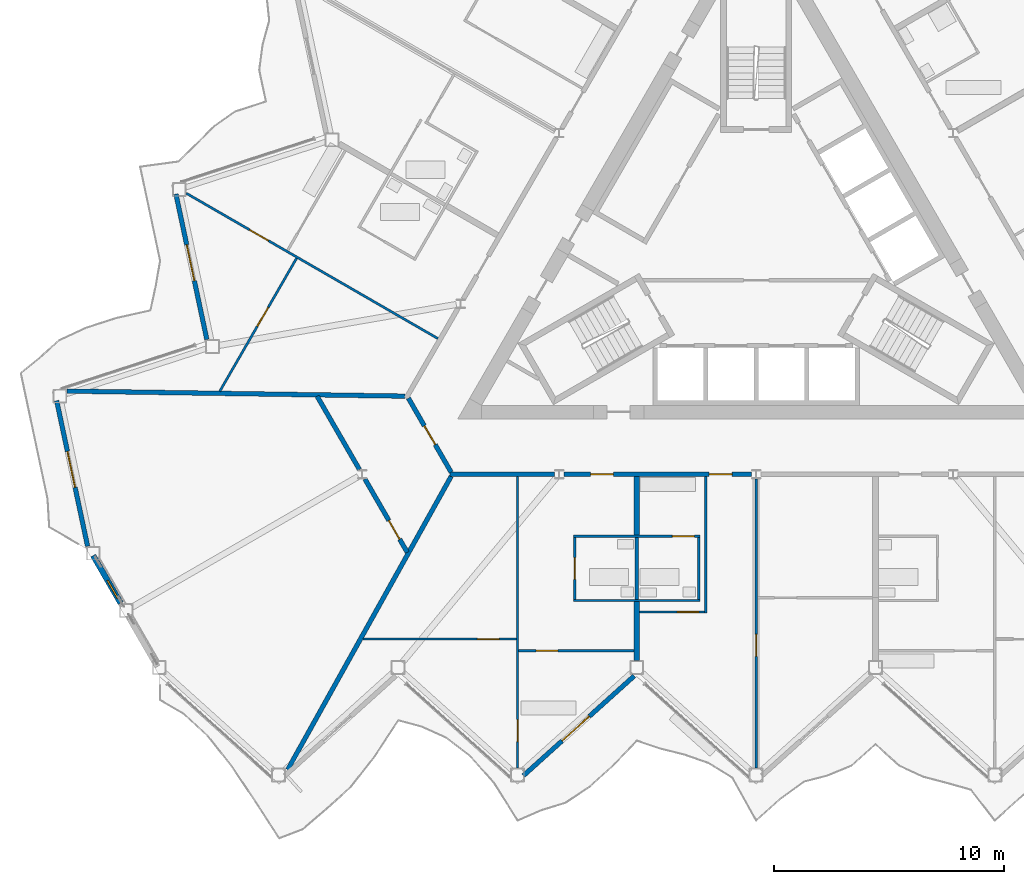
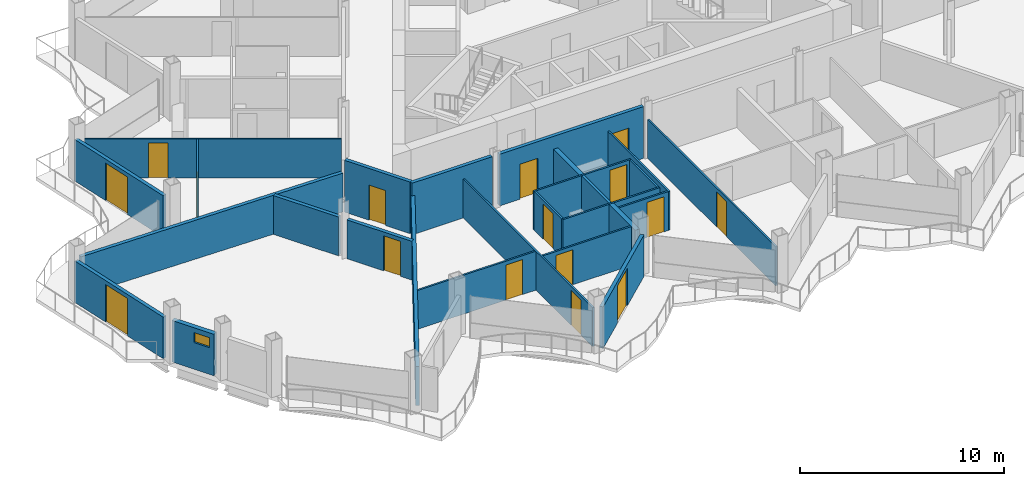
# One storey, part 13 of 26: 26 walls, 16 doors, 1 window, 17 openings.
"""IFC4 building model written with IfcOpenShell, lengths in metres."""

from ifc_helpers import new_model, si_unit, direction, frame, frame_2d, origin, place, context, subcontext, project, spatial, rectangle, extrude, material, layer, layer_set, type_object, element, fill, save


model = new_model("IFC4")

# Units and contexts
model_context = context("Model", 3, precision=1e-05, world=origin(), true_north=direction((0.0, 1.0)))
body_context = subcontext(model_context, "Body", "Model", "MODEL_VIEW")
ifc_project = project(units=[si_unit("LENGTHUNIT", "METRE"), si_unit("AREAUNIT", "SQUARE_METRE"), si_unit("VOLUMEUNIT", "CUBIC_METRE"), si_unit("PLANEANGLEUNIT", "RADIAN"), si_unit("MASSUNIT", "GRAM", prefix="KILO")], contexts=[model_context])

# Site, building, storey
site_placement = place(None, origin())
site = spatial("IfcSite", under=ifc_project, at=site_placement, CompositionType="ELEMENT")
building_placement = place(site_placement, origin())
building = spatial("IfcBuilding", under=site, at=building_placement, Name="Cormorant Prow Tower", CompositionType="ELEMENT")
storey_placement = place(building_placement, frame((0.0, 0.0, 325.60009765625)))
storey = spatial("IfcBuildingStorey", under=building, at=storey_placement, Name="L72", CompositionType="ELEMENT", Elevation=325.60009765625)

# Wall, openings, doors
ifc_material_1 = material(Name="Gypsum board corridor wall")
ifc_layer_1 = layer(ifc_material_1, 0.199951171875)
ifc_layer_set_1 = layer_set([ifc_layer_1], Name="Gypsum board corridor wall")
wall_type_1 = type_object("IfcWallType", Name="Corridor wall 200", PredefinedType="PARTITIONING", material=ifc_layer_set_1)
wall_1_placement = place(storey_placement, frame((-8.370849609375, -9.905517578125, 0.0), z_axis=(0.0, 0.0, 1.0), x_axis=(1.0, 0.0, 0.0)))
wall_1 = element("IfcWall", 1, at=wall_1_placement, inside=storey, type_object=wall_type_1, Name="Corridor wall", PredefinedType="PARTITIONING", context=body_context, shape_type="SweptSolid", body=[
    extrude(rectangle(XDim=8.1630859375, YDim=0.199951171875, at=frame_2d((4.08154296875, 0.0))), origin(), (0.0, 0.0, 1.0), 3.099853515625),
])
opening_1_placement = place(wall_1_placement, frame((1.15869140625, 0.0, 0.0)))
opening_1 = element("IfcOpeningElement", 2, at=opening_1_placement, cuts=wall_1, Name="Opening L72-F01", PredefinedType="OPENING", context=body_context, shape_type="SweptSolid", body=[
    extrude(rectangle(XDim=1.0, YDim=2.10009765625, at=frame_2d((0.5, 1.050048828125))), frame((0.0, 0.10986328125, 0.0), z_axis=(0.0, -1.0, 0.0), x_axis=(1.0, 0.0, 0.0)), (0.0, 0.0, 1.0), 0.219970703125),
])
opening_2_placement = place(wall_1_placement, frame((6.32666015625, 0.0, 0.0)))
opening_2 = element("IfcOpeningElement", 3, at=opening_2_placement, cuts=wall_1, Name="Opening L72-F06", PredefinedType="OPENING", context=body_context, shape_type="SweptSolid", body=[
    extrude(rectangle(XDim=1.0, YDim=2.10009765625, at=frame_2d((0.5, 1.050048828125))), frame((0.0, 0.10986328125, 0.0), z_axis=(0.0, -1.0, 0.0), x_axis=(1.0, 0.0, 0.0)), (0.0, 0.0, 1.0), 0.219970703125),
])
ifc_material_2 = material(Name="Timber door leaf", Category="wood")
door_type_1 = type_object("IfcDoorType", Name="Flat or room entrance door 1000x2100", OperationType="NOTDEFINED", PredefinedType="DOOR", material=ifc_material_2)
door_1_placement = place(opening_1_placement, origin())
door_1 = element("IfcDoor", 4, at=door_1_placement, inside=storey, type_object=door_type_1, Name="Living room door", OperationType="SINGLE_SWING_RIGHT", OverallHeight=2.10009765625, OverallWidth=1.0, PredefinedType="DOOR", context=body_context, shape_type="SweptSolid", body=[
    extrude(rectangle(XDim=1.0, YDim=2.10009765625, at=frame_2d((0.5, 1.050048828125))), frame((0.0, 0.02490234375, 0.0), z_axis=(0.0, -1.0, 0.0), x_axis=(1.0, 0.0, 0.0)), (0.0, 0.0, 1.0), 0.050048828125),
])
fill(opening_1, door_1)
door_2_placement = place(opening_2_placement, origin())
door_2 = element("IfcDoor", 5, at=door_2_placement, inside=storey, type_object=door_type_1, Name="Living room door", OperationType="SINGLE_SWING_LEFT", OverallHeight=2.10009765625, OverallWidth=1.0, PredefinedType="DOOR", context=body_context, shape_type="SweptSolid", body=[
    extrude(rectangle(XDim=1.0, YDim=2.10009765625, at=frame_2d((0.5, 1.050048828125))), frame((0.0, 0.02490234375, 0.0), z_axis=(0.0, -1.0, 0.0), x_axis=(1.0, 0.0, 0.0)), (0.0, 0.0, 1.0), 0.050048828125),
])
fill(opening_2, door_2)

# Wall
wall_2_placement = place(storey_placement, frame((-13.330810546875, -9.905517578125, 0.0), z_axis=(0.0, 0.0, 1.0), x_axis=(1.0, 0.0, 0.0)))
element("IfcWall", 6, at=wall_2_placement, inside=storey, type_object=wall_type_1, Name="Corridor wall", PredefinedType="PARTITIONING", context=body_context, shape_type="SweptSolid", body=[
    extrude(rectangle(XDim=4.544677734375, YDim=0.199951171875, at=frame_2d((2.2724609375, 0.0))), origin(), (0.0, 0.0, 1.0), 3.099853515625),
])

# Wall, opening, door
wall_3_placement = place(storey_placement, frame((-15.143798828125, -6.59228515625, 0.0), z_axis=(0.0, 0.0, 1.0), x_axis=(0.499958791762, -0.866049194065, 0.0)))
wall_3 = element("IfcWall", 7, at=wall_3_placement, inside=storey, type_object=wall_type_1, Name="Corridor wall", PredefinedType="PARTITIONING", context=body_context, shape_type="SweptSolid", body=[
    extrude(rectangle(XDim=3.725830078125, YDim=0.199951171875, at=frame_2d((1.86279296875, 0.0))), origin(), (0.0, 0.0, 1.0), 3.099853515625),
])
opening_3_placement = place(wall_3_placement, frame((1.387939453125, 0.0, 0.0)))
opening_3 = element("IfcOpeningElement", 8, at=opening_3_placement, cuts=wall_3, Name="Opening L72-F54", PredefinedType="OPENING", context=body_context, shape_type="SweptSolid", body=[
    extrude(rectangle(XDim=0.949951171875, YDim=2.10009765625, at=frame_2d((0.47509765625, 1.050048828125))), frame((0.0, 0.10986328125, 0.0), z_axis=(0.0, -1.0, 0.0), x_axis=(1.0, 0.0, 0.0)), (0.0, 0.0, 1.0), 0.219970703125),
])
ifc_material_3 = material(Name="Timber door leaf", Category="wood")
door_type_2 = type_object("IfcDoorType", Name="Store door 950x2100", OperationType="NOTDEFINED", PredefinedType="DOOR", material=ifc_material_3)
door_3_placement = place(opening_3_placement, origin())
door_3 = element("IfcDoor", 9, at=door_3_placement, inside=storey, type_object=door_type_2, Name="Bicycle store door", OperationType="SINGLE_SWING_RIGHT", OverallHeight=2.10009765625, OverallWidth=0.949951171875, PredefinedType="DOOR", context=body_context, shape_type="SweptSolid", body=[
    extrude(rectangle(XDim=0.949951171875, YDim=2.10009765625, at=frame_2d((0.47509765625, 1.050048828125))), frame((0.0, 0.02490234375, 0.0), z_axis=(0.0, -1.0, 0.0), x_axis=(1.0, 0.0, 0.0)), (0.0, 0.0, 1.0), 0.050048828125),
])
fill(opening_3, door_3)

# Walls
ifc_material_4 = material(Name="Gypsum board demising wall")
ifc_layer_2 = layer(ifc_material_4, 0.199951171875)
ifc_layer_set_2 = layer_set([ifc_layer_2], Name="Gypsum board demising wall")
wall_type_2 = type_object("IfcWallType", Name="Demising wall 200", PredefinedType="PARTITIONING", material=ifc_layer_set_2)
wall_4_placement = place(storey_placement, frame((-20.403564453125, -22.772216796875, 0.0), z_axis=(0.0, 0.0, 1.0), x_axis=(0.486917529285, 0.873447949036, 0.0)))
element("IfcWall", 10, at=wall_4_placement, inside=storey, type_object=wall_type_2, Name="Demising wall", PredefinedType="PARTITIONING", context=body_context, shape_type="SweptSolid", body=[
    extrude(rectangle(XDim=14.630859375, YDim=0.199951171875, at=frame_2d((7.3154296875, 0.0))), origin(), (0.0, 0.0, 1.0), 2.330078125),
])
wall_5_placement = place(storey_placement, frame((-30.013671875, -6.282470703125, 0.0), z_axis=(0.0, 0.0, 1.0), x_axis=(0.99988686643, -0.015041753265, 0.0)))
element("IfcWall", 11, at=wall_5_placement, inside=storey, type_object=wall_type_2, Name="Demising wall", PredefinedType="PARTITIONING", context=body_context, shape_type="SweptSolid", body=[
    extrude(rectangle(XDim=14.721435546875, YDim=0.199951171875, at=frame_2d((7.36083984375, 0.0))), origin(), (0.0, 0.0, 1.0), 2.330078125),
])

# Wall, opening, door
wall_6_placement = place(storey_placement, frame((-17.037109375, -10.11328125, 0.0), z_axis=(0.0, 0.0, 1.0), x_axis=(0.50002820729, -0.866009117685, 0.0)))
wall_6 = element("IfcWall", 12, at=wall_6_placement, inside=storey, type_object=wall_type_2, Name="Demising wall", PredefinedType="PARTITIONING", context=body_context, shape_type="SweptSolid", body=[
    extrude(rectangle(XDim=3.686279296875, YDim=0.199951171875, at=frame_2d((1.84326171875, 0.0))), origin(), (0.0, 0.0, 1.0), 2.330078125),
])
opening_4_placement = place(wall_6_placement, frame((2.07958984375, 0.0, 0.0)))
opening_4 = element("IfcOpeningElement", 13, at=opening_4_placement, cuts=wall_6, Name="Opening L72-F55", PredefinedType="OPENING", context=body_context, shape_type="SweptSolid", body=[
    extrude(rectangle(XDim=0.949951171875, YDim=2.10009765625, at=frame_2d((0.47509765625, 1.050048828125))), frame((0.0, 0.10986328125, 0.0), z_axis=(0.0, -1.0, 0.0), x_axis=(1.0, 0.0, 0.0)), (0.0, 0.0, 1.0), 0.219970703125),
])
door_4_placement = place(opening_4_placement, origin())
door_4 = element("IfcDoor", 14, at=door_4_placement, inside=storey, type_object=door_type_2, Name="Refuse room door", OperationType="SINGLE_SWING_RIGHT", OverallHeight=2.10009765625, OverallWidth=0.949951171875, PredefinedType="DOOR", context=body_context, shape_type="SweptSolid", body=[
    extrude(rectangle(XDim=0.949951171875, YDim=2.10009765625, at=frame_2d((0.47509765625, 1.050048828125))), frame((0.0, 0.02490234375, 0.0), z_axis=(0.0, -1.0, 0.0), x_axis=(1.0, 0.0, 0.0)), (0.0, 0.0, 1.0), 0.050048828125),
])
fill(opening_4, door_4)

# Wall
wall_7_placement = place(storey_placement, frame((-19.119873046875, -6.505615234375, 0.0), z_axis=(0.0, 0.0, 1.0), x_axis=(0.499978535015, -0.866037796245, 0.0)))
element("IfcWall", 15, at=wall_7_placement, inside=storey, type_object=wall_type_2, Name="Demising wall", PredefinedType="PARTITIONING", context=body_context, shape_type="SweptSolid", body=[
    extrude(rectangle(XDim=3.686279296875, YDim=0.199951171875, at=frame_2d((1.84326171875, 0.0))), origin(), (0.0, 0.0, 1.0), 2.330078125),
])

# Wall, opening, door
ifc_material_5 = material(Name="Gypsum board partition")
ifc_layer_3 = layer(ifc_material_5, 0.10009765625)
ifc_layer_set_3 = layer_set([ifc_layer_3], Name="Gypsum board partition")
wall_type_3 = type_object("IfcWallType", Name="Internal partition 100", PredefinedType="PARTITIONING", material=ifc_layer_set_3)
wall_8_placement = place(storey_placement, frame((-10.389404296875, -22.697998046875, 0.0), z_axis=(0.0, 0.0, 1.0), x_axis=(0.0, 1.0, 0.0)))
wall_8 = element("IfcWall", 16, at=wall_8_placement, inside=storey, type_object=wall_type_3, Name="Internal partition", PredefinedType="PARTITIONING", context=body_context, shape_type="SweptSolid", body=[
    extrude(rectangle(XDim=12.6923828125, YDim=0.10009765625, at=frame_2d((6.34619140625, 0.0))), origin(), (0.0, 0.0, 1.0), 2.330078125),
])
opening_5_placement = place(wall_8_placement, frame((1.1533203125, 0.0, 0.0)))
opening_5 = element("IfcOpeningElement", 17, at=opening_5_placement, cuts=wall_8, Name="Opening L72-F04", PredefinedType="OPENING", context=body_context, shape_type="SweptSolid", body=[
    extrude(rectangle(XDim=0.949951171875, YDim=2.10009765625, at=frame_2d((0.47509765625, 1.050048828125))), frame((0.0, 0.06005859375, 0.0), z_axis=(0.0, -1.0, 0.0), x_axis=(1.0, 0.0, 0.0)), (0.0, 0.0, 1.0), 0.1201171875),
])
ifc_material_6 = material(Name="Timber door leaf", Category="wood")
door_type_3 = type_object("IfcDoorType", Name="Bathroom door 950x2100", OperationType="NOTDEFINED", PredefinedType="DOOR", material=ifc_material_6)
door_5_placement = place(opening_5_placement, origin())
door_5 = element("IfcDoor", 18, at=door_5_placement, inside=storey, type_object=door_type_3, Name="Kitchen door", OperationType="SINGLE_SWING_RIGHT", OverallHeight=2.10009765625, OverallWidth=0.949951171875, PredefinedType="DOOR", context=body_context, shape_type="SweptSolid", body=[
    extrude(rectangle(XDim=0.949951171875, YDim=2.10009765625, at=frame_2d((0.47509765625, 1.050048828125))), frame((0.0, 0.02490234375, 0.0), z_axis=(0.0, -1.0, 0.0), x_axis=(1.0, 0.0, 0.0)), (0.0, 0.0, 1.0), 0.050048828125),
])
fill(opening_5, door_5)

wall_9_placement = place(storey_placement, frame((-24.814697265625, 2.330078125, 0.0), z_axis=(0.0, 0.0, 1.0), x_axis=(0.866027776657, -0.499995890042, 0.0)))
wall_9 = element("IfcWall", 19, at=wall_9_placement, inside=storey, type_object=wall_type_3, Name="Internal partition", PredefinedType="PARTITIONING", context=body_context, shape_type="SweptSolid", body=[
    extrude(rectangle(XDim=12.6494140625, YDim=0.10009765625, at=frame_2d((6.32470703125, 0.0))), origin(), (0.0, 0.0, 1.0), 2.330078125),
])
opening_6_placement = place(wall_9_placement, frame((3.176025390625, 0.0, 0.0)))
opening_6 = element("IfcOpeningElement", 20, at=opening_6_placement, cuts=wall_9, Name="Opening L72-F52", PredefinedType="OPENING", context=body_context, shape_type="SweptSolid", body=[
    extrude(rectangle(XDim=0.949951171875, YDim=2.10009765625, at=frame_2d((0.47509765625, 1.050048828125))), frame((0.0, 0.06005859375, 0.0), z_axis=(0.0, -1.0, 0.0), x_axis=(1.0, 0.0, 0.0)), (0.0, 0.0, 1.0), 0.1201171875),
])
door_6_placement = place(opening_6_placement, origin())
door_6 = element("IfcDoor", 21, at=door_6_placement, inside=storey, type_object=door_type_3, Name="Kitchen door", OperationType="SINGLE_SWING_RIGHT", OverallHeight=2.10009765625, OverallWidth=0.949951171875, PredefinedType="DOOR", context=body_context, shape_type="SweptSolid", body=[
    extrude(rectangle(XDim=0.949951171875, YDim=2.10009765625, at=frame_2d((0.47509765625, 1.050048828125))), frame((0.0, 0.02490234375, 0.0), z_axis=(0.0, -1.0, 0.0), x_axis=(1.0, 0.0, 0.0)), (0.0, 0.0, 1.0), 0.050048828125),
])
fill(opening_6, door_6)

wall_10_placement = place(storey_placement, frame((0.0, -22.697998046875, 0.0), z_axis=(0.0, 0.0, 1.0), x_axis=(0.0, 1.0, 0.0)))
wall_10 = element("IfcWall", 22, at=wall_10_placement, inside=storey, type_object=wall_type_3, Name="Internal partition", PredefinedType="PARTITIONING", context=body_context, shape_type="SweptSolid", body=[
    extrude(rectangle(XDim=12.584716796875, YDim=0.10009765625, at=frame_2d((6.29248046875, 0.0))), origin(), (0.0, 0.0, 1.0), 2.330078125),
])
opening_7_placement = place(wall_10_placement, frame((4.864501953125, 0.0, 0.0)))
opening_7 = element("IfcOpeningElement", 23, at=opening_7_placement, cuts=wall_10, Name="Opening L72-F08", PredefinedType="OPENING", context=body_context, shape_type="SweptSolid", body=[
    extrude(rectangle(XDim=0.949951171875, YDim=2.10009765625, at=frame_2d((0.47509765625, 1.050048828125))), frame((0.0, 0.06005859375, 0.0), z_axis=(0.0, -1.0, 0.0), x_axis=(1.0, 0.0, 0.0)), (0.0, 0.0, 1.0), 0.1201171875),
])
door_7_placement = place(opening_7_placement, origin())
door_7 = element("IfcDoor", 24, at=door_7_placement, inside=storey, type_object=door_type_3, Name="Living room door", OperationType="SINGLE_SWING_LEFT", OverallHeight=2.10009765625, OverallWidth=0.949951171875, PredefinedType="DOOR", context=body_context, shape_type="SweptSolid", body=[
    extrude(rectangle(XDim=0.949951171875, YDim=2.10009765625, at=frame_2d((0.47509765625, 1.050048828125))), frame((0.0, 0.02490234375, 0.0), z_axis=(0.0, -1.0, 0.0), x_axis=(1.0, 0.0, 0.0)), (0.0, 0.0, 1.0), 0.050048828125),
])
fill(opening_7, door_7)

wall_11_placement = place(storey_placement, frame((-23.361083984375, -6.295166015625, 0.0), z_axis=(0.0, 0.0, 1.0), x_axis=(0.499987686533, 0.866032512851, 0.0)))
wall_11 = element("IfcWall", 25, at=wall_11_placement, inside=storey, type_object=wall_type_3, Name="Internal partition", PredefinedType="PARTITIONING", context=body_context, shape_type="SweptSolid", body=[
    extrude(rectangle(XDim=6.693115234375, YDim=0.10009765625, at=frame_2d((3.3466796875, 0.0))), origin(), (0.0, 0.0, 1.0), 2.330078125),
])
opening_8_placement = place(wall_11_placement, frame((3.27490234375, 0.0, 0.0)))
opening_8 = element("IfcOpeningElement", 26, at=opening_8_placement, cuts=wall_11, Name="Opening L72-F53", PredefinedType="OPENING", context=body_context, shape_type="SweptSolid", body=[
    extrude(rectangle(XDim=0.949951171875, YDim=2.10009765625, at=frame_2d((0.47509765625, 1.050048828125))), frame((0.0, 0.06005859375, 0.0), z_axis=(0.0, -1.0, 0.0), x_axis=(1.0, 0.0, 0.0)), (0.0, 0.0, 1.0), 0.1201171875),
])
door_8_placement = place(opening_8_placement, origin())
door_8 = element("IfcDoor", 27, at=door_8_placement, inside=storey, type_object=door_type_3, Name="Bedroom door", OperationType="SINGLE_SWING_LEFT", OverallHeight=2.10009765625, OverallWidth=0.949951171875, PredefinedType="DOOR", context=body_context, shape_type="SweptSolid", body=[
    extrude(rectangle(XDim=0.949951171875, YDim=2.10009765625, at=frame_2d((0.47509765625, 1.050048828125))), frame((0.0, 0.02490234375, 0.0), z_axis=(0.0, -1.0, 0.0), x_axis=(1.0, 0.0, 0.0)), (0.0, 0.0, 1.0), 0.050048828125),
])
fill(opening_8, door_8)

wall_12_placement = place(storey_placement, frame((-17.13232421875, -17.083740234375, 0.0), z_axis=(0.0, 0.0, 1.0), x_axis=(1.0, 0.0, 0.0)))
wall_12 = element("IfcWall", 28, at=wall_12_placement, inside=storey, type_object=wall_type_3, Name="Internal partition", PredefinedType="PARTITIONING", context=body_context, shape_type="SweptSolid", body=[
    extrude(rectangle(XDim=6.69287109375, YDim=0.10009765625, at=frame_2d((3.346435546875, 0.0))), origin(), (0.0, 0.0, 1.0), 2.330078125),
])
opening_9_placement = place(wall_12_placement, frame((4.98876953125, 0.0, 0.0)))
opening_9 = element("IfcOpeningElement", 29, at=opening_9_placement, cuts=wall_12, Name="Opening L72-F05", PredefinedType="OPENING", context=body_context, shape_type="SweptSolid", body=[
    extrude(rectangle(XDim=0.949951171875, YDim=2.10009765625, at=frame_2d((0.47509765625, 1.050048828125))), frame((0.0, 0.06005859375, 0.0), z_axis=(0.0, -1.0, 0.0), x_axis=(1.0, 0.0, 0.0)), (0.0, 0.0, 1.0), 0.1201171875),
])
door_9_placement = place(opening_9_placement, origin())
door_9 = element("IfcDoor", 30, at=door_9_placement, inside=storey, type_object=door_type_3, Name="Bedroom door", OperationType="SINGLE_SWING_RIGHT", OverallHeight=2.10009765625, OverallWidth=0.949951171875, PredefinedType="DOOR", context=body_context, shape_type="SweptSolid", body=[
    extrude(rectangle(XDim=0.949951171875, YDim=2.10009765625, at=frame_2d((0.47509765625, 1.050048828125))), frame((0.0, 0.02490234375, 0.0), z_axis=(0.0, -1.0, 0.0), x_axis=(1.0, 0.0, 0.0)), (0.0, 0.0, 1.0), 0.050048828125),
])
fill(opening_9, door_9)

# Wall
wall_13_placement = place(storey_placement, frame((-2.194580078125, -15.95556640625, 0.0), z_axis=(0.0, 0.0, 1.0), x_axis=(0.0, 1.0, 0.0)))
element("IfcWall", 31, at=wall_13_placement, inside=storey, type_object=wall_type_3, Name="Internal partition", PredefinedType="PARTITIONING", context=body_context, shape_type="SweptSolid", body=[
    extrude(rectangle(XDim=5.949951171875, YDim=0.10009765625, at=frame_2d((2.97509765625, 0.0))), origin(), (0.0, 0.0, 1.0), 2.330078125),
])

# Wall, opening, door
wall_14_placement = place(storey_placement, frame((-7.944580078125, -12.605712890625, 0.0), z_axis=(0.0, 0.0, 1.0), x_axis=(1.0, 0.0, 0.0)))
wall_14 = element("IfcWall", 32, at=wall_14_placement, inside=storey, type_object=wall_type_3, Name="Internal partition", PredefinedType="PARTITIONING", context=body_context, shape_type="SweptSolid", body=[
    extrude(rectangle(XDim=5.5, YDim=0.10009765625, at=frame_2d((2.75, 0.0))), origin(), (0.0, 0.0, 1.0), 2.330078125),
])
opening_10_placement = place(wall_14_placement, frame((4.300048828125, 0.0, 0.0)))
opening_10 = element("IfcOpeningElement", 33, at=opening_10_placement, cuts=wall_14, Name="Opening L72-F10", PredefinedType="OPENING", context=body_context, shape_type="SweptSolid", body=[
    extrude(rectangle(XDim=0.949951171875, YDim=2.10009765625, at=frame_2d((0.47509765625, 1.050048828125))), frame((0.0, 0.06005859375, 0.0), z_axis=(0.0, -1.0, 0.0), x_axis=(1.0, 0.0, 0.0)), (0.0, 0.0, 1.0), 0.1201171875),
])
door_10_placement = place(opening_10_placement, origin())
door_10 = element("IfcDoor", 34, at=door_10_placement, inside=storey, type_object=door_type_3, Name="Kitchen door", OperationType="SINGLE_SWING_RIGHT", OverallHeight=2.10009765625, OverallWidth=0.949951171875, PredefinedType="DOOR", context=body_context, shape_type="SweptSolid", body=[
    extrude(rectangle(XDim=0.949951171875, YDim=2.10009765625, at=frame_2d((0.47509765625, 1.050048828125))), frame((0.0, 0.02490234375, 0.0), z_axis=(0.0, -1.0, 0.0), x_axis=(1.0, 0.0, 0.0)), (0.0, 0.0, 1.0), 0.050048828125),
])
fill(opening_10, door_10)

# Wall
wall_15_placement = place(storey_placement, frame((-7.944580078125, -15.405517578125, 0.0), z_axis=(0.0, 0.0, 1.0), x_axis=(1.0, 0.0, 0.0)))
element("IfcWall", 35, at=wall_15_placement, inside=storey, type_object=wall_type_3, Name="Internal partition", PredefinedType="PARTITIONING", context=body_context, shape_type="SweptSolid", body=[
    extrude(rectangle(XDim=5.5, YDim=0.10009765625, at=frame_2d((2.75, 0.0))), origin(), (0.0, 0.0, 1.0), 2.330078125),
])

# Wall, opening, door
wall_16_placement = place(storey_placement, frame((-10.33935546875, -17.591796875, 0.0), z_axis=(0.0, 0.0, 1.0), x_axis=(1.0, 0.0, 0.0)))
wall_16 = element("IfcWall", 36, at=wall_16_placement, inside=storey, type_object=wall_type_3, Name="Internal partition", PredefinedType="PARTITIONING", context=body_context, shape_type="SweptSolid", body=[
    extrude(rectangle(XDim=5.019775390625, YDim=0.10009765625, at=frame_2d((2.509765625, 0.0))), origin(), (0.0, 0.0, 1.0), 2.330078125),
])
opening_11_placement = place(wall_16_placement, frame((0.760009765625, 0.0, 0.0)))
opening_11 = element("IfcOpeningElement", 37, at=opening_11_placement, cuts=wall_16, Name="Opening L72-F03", PredefinedType="OPENING", context=body_context, shape_type="SweptSolid", body=[
    extrude(rectangle(XDim=0.949951171875, YDim=2.10009765625, at=frame_2d((0.47509765625, 1.050048828125))), frame((0.0, 0.06005859375, 0.0), z_axis=(0.0, -1.0, 0.0), x_axis=(1.0, 0.0, 0.0)), (0.0, 0.0, 1.0), 0.1201171875),
])
door_11_placement = place(opening_11_placement, origin())
door_11 = element("IfcDoor", 38, at=door_11_placement, inside=storey, type_object=door_type_3, Name="Living room door", OperationType="SINGLE_SWING_LEFT", OverallHeight=2.10009765625, OverallWidth=0.949951171875, PredefinedType="DOOR", context=body_context, shape_type="SweptSolid", body=[
    extrude(rectangle(XDim=0.949951171875, YDim=2.10009765625, at=frame_2d((0.47509765625, 1.050048828125))), frame((0.0, 0.02490234375, 0.0), z_axis=(0.0, -1.0, 0.0), x_axis=(1.0, 0.0, 0.0)), (0.0, 0.0, 1.0), 0.050048828125),
])
fill(opening_11, door_11)

wall_17_placement = place(storey_placement, frame((-5.069580078125, -15.905517578125, 0.0), z_axis=(0.0, 0.0, 1.0), x_axis=(1.0, 0.0, 0.0)))
wall_17 = element("IfcWall", 39, at=wall_17_placement, inside=storey, type_object=wall_type_3, Name="Internal partition", PredefinedType="PARTITIONING", context=body_context, shape_type="SweptSolid", body=[
    extrude(rectangle(XDim=2.824951171875, YDim=0.10009765625, at=frame_2d((1.41259765625, 0.0))), origin(), (0.0, 0.0, 1.0), 2.330078125),
])
opening_12_placement = place(wall_17_placement, frame((1.625, 0.0, 0.0)))
opening_12 = element("IfcOpeningElement", 40, at=opening_12_placement, cuts=wall_17, Name="Opening L72-F07", PredefinedType="OPENING", context=body_context, shape_type="SweptSolid", body=[
    extrude(rectangle(XDim=0.949951171875, YDim=2.10009765625, at=frame_2d((0.47509765625, 1.050048828125))), frame((0.0, 0.06005859375, 0.0), z_axis=(0.0, -1.0, 0.0), x_axis=(1.0, 0.0, 0.0)), (0.0, 0.0, 1.0), 0.1201171875),
])
door_12_placement = place(opening_12_placement, origin())
door_12 = element("IfcDoor", 41, at=door_12_placement, inside=storey, type_object=door_type_3, Name="Living room door", OperationType="SINGLE_SWING_RIGHT", OverallHeight=2.10009765625, OverallWidth=0.949951171875, PredefinedType="DOOR", context=body_context, shape_type="SweptSolid", body=[
    extrude(rectangle(XDim=0.949951171875, YDim=2.10009765625, at=frame_2d((0.47509765625, 1.050048828125))), frame((0.0, 0.02490234375, 0.0), z_axis=(0.0, -1.0, 0.0), x_axis=(1.0, 0.0, 0.0)), (0.0, 0.0, 1.0), 0.050048828125),
])
fill(opening_12, door_12)

wall_18_placement = place(storey_placement, frame((-7.894775390625, -15.355712890625, 0.0), z_axis=(0.0, 0.0, 1.0), x_axis=(0.0, 1.0, 0.0)))
wall_18 = element("IfcWall", 42, at=wall_18_placement, inside=storey, type_object=wall_type_3, Name="Internal partition", PredefinedType="PARTITIONING", context=body_context, shape_type="SweptSolid", body=[
    extrude(rectangle(XDim=2.7001953125, YDim=0.10009765625, at=frame_2d((1.35009765625, 0.0))), origin(), (0.0, 0.0, 1.0), 2.330078125),
])
opening_13_placement = place(wall_18_placement, frame((0.875, 0.0, 0.0)))
opening_13 = element("IfcOpeningElement", 43, at=opening_13_placement, cuts=wall_18, Name="Opening L72-F02", PredefinedType="OPENING", context=body_context, shape_type="SweptSolid", body=[
    extrude(rectangle(XDim=0.949951171875, YDim=2.10009765625, at=frame_2d((0.47509765625, 1.050048828125))), frame((0.0, 0.06005859375, 0.0), z_axis=(0.0, -1.0, 0.0), x_axis=(1.0, 0.0, 0.0)), (0.0, 0.0, 1.0), 0.1201171875),
])
door_13_placement = place(opening_13_placement, origin())
door_13 = element("IfcDoor", 44, at=door_13_placement, inside=storey, type_object=door_type_3, Name="Living room door", OperationType="SINGLE_SWING_LEFT", OverallHeight=2.10009765625, OverallWidth=0.949951171875, PredefinedType="DOOR", context=body_context, shape_type="SweptSolid", body=[
    extrude(rectangle(XDim=0.949951171875, YDim=2.10009765625, at=frame_2d((0.47509765625, 1.050048828125))), frame((0.0, 0.02490234375, 0.0), z_axis=(0.0, -1.0, 0.0), x_axis=(1.0, 0.0, 0.0)), (0.0, 0.0, 1.0), 0.050048828125),
])
fill(opening_13, door_13)

# Walls
wall_19_placement = place(storey_placement, frame((-2.49462890625, -15.355712890625, 0.0), z_axis=(0.0, 0.0, 1.0), x_axis=(0.0, 1.0, 0.0)))
element("IfcWall", 45, at=wall_19_placement, inside=storey, type_object=wall_type_3, Name="Internal partition", PredefinedType="PARTITIONING", context=body_context, shape_type="SweptSolid", body=[
    extrude(rectangle(XDim=2.7001953125, YDim=0.10009765625, at=frame_2d((1.35009765625, 0.0))), origin(), (0.0, 0.0, 1.0), 2.330078125),
])
ifc_material_7 = material(Name="Acoustic gypsum party wall")
ifc_layer_4 = layer(ifc_material_7, 0.25)
ifc_layer_set_4 = layer_set([ifc_layer_4], Name="Acoustic gypsum party wall")
wall_type_4 = type_object("IfcWallType", Name="Suite party wall 250", PredefinedType="PARTITIONING", material=ifc_layer_set_4)
wall_20_placement = place(storey_placement, frame((-5.194580078125, -12.5556640625, 0.0), z_axis=(0.0, 0.0, 1.0), x_axis=(0.0, 1.0, 0.0)))
element("IfcWall", 46, at=wall_20_placement, inside=storey, type_object=wall_type_4, Name="Suite party wall", PredefinedType="PARTITIONING", context=body_context, shape_type="SweptSolid", body=[
    extrude(rectangle(XDim=2.550048828125, YDim=0.25, at=frame_2d((1.27490234375, 0.0))), origin(), (0.0, 0.0, 1.0), 2.330078125),
])
wall_21_placement = place(storey_placement, frame((-5.194580078125, -18.016845703125, 0.0), z_axis=(0.0, 0.0, 1.0), x_axis=(0.0, 1.0, 0.0)))
element("IfcWall", 47, at=wall_21_placement, inside=storey, type_object=wall_type_4, Name="Suite party wall", PredefinedType="PARTITIONING", context=body_context, shape_type="SweptSolid", body=[
    extrude(rectangle(XDim=2.561279296875, YDim=0.25, at=frame_2d((1.28076171875, 0.0))), origin(), (0.0, 0.0, 1.0), 2.330078125),
])

# Wall, opening, window
ifc_material_8 = material(Name="Terracotta", Category="masonry")
ifc_layer_5 = layer(ifc_material_8, 0.25)
ifc_layer_set_5 = layer_set([ifc_layer_5], Name="Terracotta")
wall_type_5 = type_object("IfcWallType", Name="Terracotta bay wall 250", PredefinedType="SOLIDWALL", material=ifc_layer_set_5)
wall_22_placement = place(storey_placement, frame((-28.871826171875, -13.447998046875, 0.0), z_axis=(0.0, 0.0, 1.0), x_axis=(0.499982446489, -0.866035538072, 0.0)))
wall_22 = element("IfcWall", 48, at=wall_22_placement, inside=storey, type_object=wall_type_5, Name="Terracotta bay wall WSW00", PredefinedType="SOLIDWALL", context=body_context, shape_type="SweptSolid", body=[
    extrude(rectangle(XDim=2.38427734375, YDim=0.25, at=frame_2d((1.192138671875, 0.0))), origin(), (0.0, 0.0, 1.0), 2.48779296875),
])
opening_14_placement = place(wall_22_placement, frame((1.25, 0.0, 1.60009765625)))
opening_14 = element("IfcOpeningElement", 49, at=opening_14_placement, cuts=wall_22, Name="Opening WN7", PredefinedType="OPENING", context=body_context, shape_type="SweptSolid", body=[
    extrude(rectangle(XDim=0.89990234375, YDim=0.60009765625, at=frame_2d((0.449951171875, 0.300048828125))), frame((0.0, 0.135009765625, 0.0), z_axis=(0.0, -1.0, 0.0), x_axis=(1.0, 0.0, 0.0)), (0.0, 0.0, 1.0), 0.27001953125),
])
ifc_material_9 = material(Name="Aluminium 6063-T6", Category="aluminium")
window_type = type_object("IfcWindowType", Name="Corner bay window 900x600", PartitioningType="SINGLE_PANEL", PredefinedType="WINDOW", material=ifc_material_9)
window_placement = place(opening_14_placement, origin())
window = element("IfcWindow", 50, at=window_placement, inside=storey, type_object=window_type, Name="Corner bay window WSW00", OverallHeight=0.60009765625, OverallWidth=0.89990234375, PartitioningType="SINGLE_PANEL", PredefinedType="WINDOW", context=body_context, shape_type="SweptSolid", body=[
    extrude(rectangle(XDim=0.89990234375, YDim=0.60009765625, at=frame_2d((0.449951171875, 0.300048828125))), frame((0.0, 0.030029296875, 0.0), z_axis=(0.0, -1.0, 0.0), x_axis=(1.0, 0.0, 0.0)), (0.0, 0.0, 1.0), 0.06005859375),
])
fill(opening_14, window)

# Wall, opening, door
ifc_material_10 = material(Name="Terracotta", Category="masonry")
ifc_layer_6 = layer(ifc_material_10, 0.199951171875)
ifc_layer_set_6 = layer_set([ifc_layer_6], Name="Terracotta")
wall_type_6 = type_object("IfcWallType", Name="Terracotta jamb wall 200", PredefinedType="SOLIDWALL", material=ifc_layer_set_6)
wall_23_placement = place(storey_placement, frame((-10.1337890625, -23.03076171875, 0.0), z_axis=(0.0, 0.0, 1.0), x_axis=(0.743138937876, 0.669137145145, 0.0)))
wall_23 = element("IfcWall", 51, at=wall_23_placement, inside=storey, type_object=wall_type_6, Name="Terracotta jamb wall S03", PredefinedType="SOLIDWALL", context=body_context, shape_type="SweptSolid", body=[
    extrude(rectangle(XDim=6.49267578125, YDim=0.199951171875, at=frame_2d((3.246337890625, 0.0))), origin(), (0.0, 0.0, 1.0), 2.48779296875),
])
opening_15_placement = place(wall_23_placement, frame((2.260986328125, 0.0, 0.0)))
opening_15 = element("IfcOpeningElement", 52, at=opening_15_placement, cuts=wall_23, Name="Opening ED72.02", PredefinedType="OPENING", context=body_context, shape_type="SweptSolid", body=[
    extrude(rectangle(XDim=1.60009765625, YDim=2.25, at=frame_2d((0.800048828125, 1.125))), frame((0.0, 0.10986328125, 0.0), z_axis=(0.0, -1.0, 0.0), x_axis=(1.0, 0.0, 0.0)), (0.0, 0.0, 1.0), 0.219970703125),
])
ifc_material_11 = material(Name="Aluminium 6063-T6", Category="aluminium")
door_type_4 = type_object("IfcDoorType", Name="Balcony door 1600x2250", OperationType="DOUBLE_DOOR_SINGLE_SWING", PredefinedType="DOOR", material=ifc_material_11)
door_14_placement = place(opening_15_placement, origin())
door_14 = element("IfcDoor", 53, at=door_14_placement, inside=storey, type_object=door_type_4, Name="Balcony door S03 ED72.02", OperationType="DOUBLE_DOOR_SINGLE_SWING", OverallHeight=2.25, OverallWidth=1.60009765625, PredefinedType="DOOR", context=body_context, shape_type="SweptSolid", body=[
    extrude(rectangle(XDim=1.60009765625, YDim=2.25, at=frame_2d((0.800048828125, 1.125))), frame((0.0, 0.02490234375, 0.0), z_axis=(0.0, -1.0, 0.0), x_axis=(1.0, 0.0, 0.0)), (0.0, 0.0, 1.0), 0.050048828125),
])
fill(opening_15, door_14)

wall_24_placement = place(storey_placement, frame((-25.267822265625, 2.296630859375, 0.0), z_axis=(0.0, 0.0, 1.0), x_axis=(0.207937232358, -0.978142171363, 0.0)))
wall_24 = element("IfcWall", 54, at=wall_24_placement, inside=storey, type_object=wall_type_6, Name="Terracotta jamb wall WNW07", PredefinedType="SOLIDWALL", context=body_context, shape_type="SweptSolid", body=[
    extrude(rectangle(XDim=6.47412109375, YDim=0.199951171875, at=frame_2d((3.237060546875, 0.0))), origin(), (0.0, 0.0, 1.0), 2.48779296875),
])
opening_16_placement = place(wall_24_placement, frame((2.260986328125, 0.0, 0.0)))
opening_16 = element("IfcOpeningElement", 55, at=opening_16_placement, cuts=wall_24, Name="Opening ED72.14", PredefinedType="OPENING", context=body_context, shape_type="SweptSolid", body=[
    extrude(rectangle(XDim=1.60009765625, YDim=2.25, at=frame_2d((0.800048828125, 1.125))), frame((0.0, 0.10986328125, 0.0), z_axis=(0.0, -1.0, 0.0), x_axis=(1.0, 0.0, 0.0)), (0.0, 0.0, 1.0), 0.219970703125),
])
door_15_placement = place(opening_16_placement, origin())
door_15 = element("IfcDoor", 56, at=door_15_placement, inside=storey, type_object=door_type_4, Name="Balcony door WNW07 ED72.14", OperationType="DOUBLE_DOOR_SINGLE_SWING", OverallHeight=2.25, OverallWidth=1.60009765625, PredefinedType="DOOR", context=body_context, shape_type="SweptSolid", body=[
    extrude(rectangle(XDim=1.60009765625, YDim=2.25, at=frame_2d((0.800048828125, 1.125))), frame((0.0, 0.02490234375, 0.0), z_axis=(0.0, -1.0, 0.0), x_axis=(1.0, 0.0, 0.0)), (0.0, 0.0, 1.0), 0.050048828125),
])
fill(opening_16, door_15)

wall_25_placement = place(storey_placement, frame((-30.46240234375, -6.700927734375, 0.0), z_axis=(0.0, 0.0, 1.0), x_axis=(0.207915966693, -0.978146691859, 0.0)))
wall_25 = element("IfcWall", 57, at=wall_25_placement, inside=storey, type_object=wall_type_6, Name="Terracotta jamb wall WNW09", PredefinedType="SOLIDWALL", context=body_context, shape_type="SweptSolid", body=[
    extrude(rectangle(XDim=6.481689453125, YDim=0.199951171875, at=frame_2d((3.24072265625, 0.0))), origin(), (0.0, 0.0, 1.0), 2.48779296875),
])
opening_17_placement = place(wall_25_placement, frame((2.260986328125, 0.0, 0.0)))
opening_17 = element("IfcOpeningElement", 58, at=opening_17_placement, cuts=wall_25, Name="Opening ED72.15", PredefinedType="OPENING", context=body_context, shape_type="SweptSolid", body=[
    extrude(rectangle(XDim=1.60009765625, YDim=2.25, at=frame_2d((0.800048828125, 1.125))), frame((0.0, 0.10986328125, 0.0), z_axis=(0.0, -1.0, 0.0), x_axis=(1.0, 0.0, 0.0)), (0.0, 0.0, 1.0), 0.219970703125),
])
door_16_placement = place(opening_17_placement, origin())
door_16 = element("IfcDoor", 59, at=door_16_placement, inside=storey, type_object=door_type_4, Name="Balcony door WNW09 ED72.15", OperationType="DOUBLE_DOOR_SINGLE_SWING", OverallHeight=2.25, OverallWidth=1.60009765625, PredefinedType="DOOR", context=body_context, shape_type="SweptSolid", body=[
    extrude(rectangle(XDim=1.60009765625, YDim=2.25, at=frame_2d((0.800048828125, 1.125))), frame((0.0, 0.02490234375, 0.0), z_axis=(0.0, -1.0, 0.0), x_axis=(1.0, 0.0, 0.0)), (0.0, 0.0, 1.0), 0.050048828125),
])
fill(opening_17, door_16)

# Wall
ifc_material_12 = material(Name="Plasterboard wet wall with pipe chase")
ifc_layer_7 = layer(ifc_material_12, 0.14990234375)
ifc_layer_set_7 = layer_set([ifc_layer_7], Name="Plasterboard wet wall with pipe chase")
wall_type_7 = type_object("IfcWallType", Name="Wet wall 150", PredefinedType="PLUMBINGWALL", material=ifc_layer_set_7)
wall_26_placement = place(storey_placement, frame((-5.194580078125, -15.355712890625, 0.0), z_axis=(0.0, 0.0, 1.0), x_axis=(0.0, 1.0, 0.0)))
element("IfcWall", 60, at=wall_26_placement, inside=storey, type_object=wall_type_7, Name="Wet wall", PredefinedType="PLUMBINGWALL", context=body_context, shape_type="SweptSolid", body=[
    extrude(rectangle(XDim=2.7001953125, YDim=0.14990234375, at=frame_2d((1.35009765625, 0.0))), origin(), (0.0, 0.0, 1.0), 2.330078125),
])

save(model, "model.ifc")
